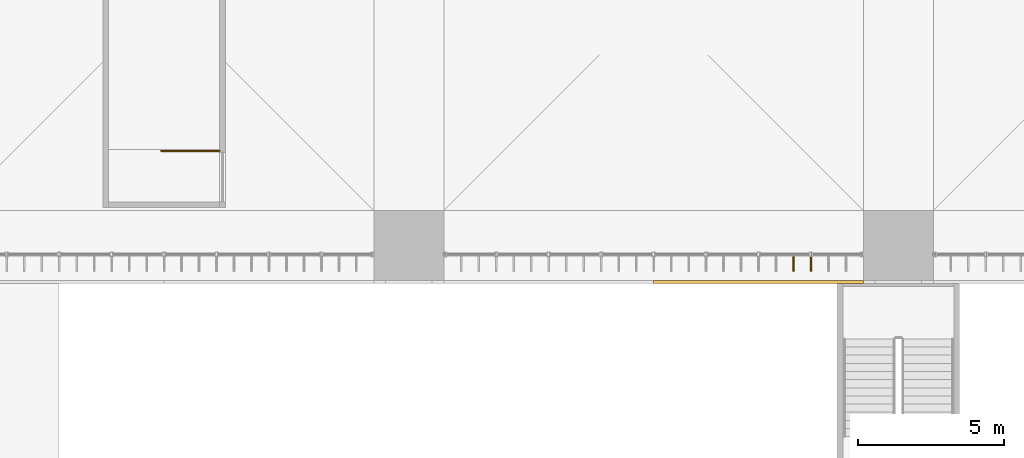
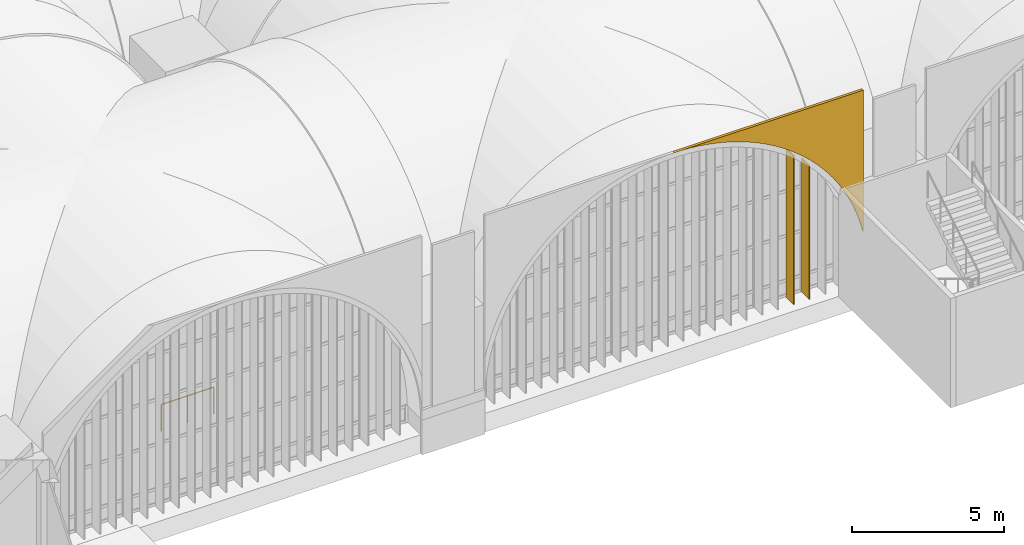
# One storey, part 156 of 169: 2 shading devices, 1 covering, 1 railing.
"""IFC4 building model written with IfcOpenShell, lengths in metres."""

import ifcopenshell
import ifcopenshell.guid

model = None  # the IFC model being written
_history = None  # IfcOwnerHistory: only IFC2X3 demands one
_inside = {}  # id of a spatial element -> (the spatial element, [elements in it])
_under = {}  # id of a project, library or spatial element -> (it, [spatial elements below it])
_declared = {}  # id of a project -> (the project, [libraries it declares])
_typed = {}  # id of a type object -> (the type object, [elements of that type])
_made_of = {}  # id of a material, layer set ... -> (it, [elements and type objects made of it])


def new_model(schema):
    """Start an empty IFC model of exactly this schema.

    Asked for "IFC4X3", IfcOpenShell would pick the latest addendum, in which some entities
    have other attributes; the version numbers below select the first issue.
    IFC2X3 requires an IfcOwnerHistory on every rooted entity: one is made here for all.
    """
    global model, _history
    if schema == "IFC4X3":
        model = ifcopenshell.file(schema_version=(4, 3, 0, 0))
    else:
        model = ifcopenshell.file(schema=schema)
    _inside.clear()
    _under.clear()
    _declared.clear()
    _typed.clear()
    _made_of.clear()
    _history = None
    if model.schema == "IFC2X3":
        org = make("IfcOrganization", Name="unknown")
        user = make(
            "IfcPersonAndOrganization",
            ThePerson=make("IfcPerson", FamilyName="unknown"),
            TheOrganization=org,
        )
        app = make(
            "IfcApplication",
            ApplicationDeveloper=org,
            Version="unknown",
            ApplicationFullName="unknown",
            ApplicationIdentifier="unknown",
        )
        _history = make(
            "IfcOwnerHistory",
            OwningUser=user,
            OwningApplication=app,
            ChangeAction="ADDED",
            CreationDate=0,
        )
    return model


def make(cls, **values):
    """One entity of the class cls with the attributes given. An attribute that is None is left unset."""
    return model.create_entity(
        cls, **{name: value for name, value in values.items() if value is not None}
    )


def rooted(cls, **values):
    """An entity with a GlobalId (a new one), such as an element, a storey or a relation."""
    return make(cls, GlobalId=ifcopenshell.guid.new(), OwnerHistory=_history, **values)


def si_unit(unit_type, name, prefix=None):
    """IfcSIUnit, for example si_unit("LENGTHUNIT", "METRE", prefix="MILLI")."""
    return make("IfcSIUnit", UnitType=unit_type, Prefix=prefix, Name=name)


def assignment(units):
    """IfcUnitAssignment: the units of a project."""
    return None if units is None else make("IfcUnitAssignment", Units=units)


def point(xyz):
    """IfcCartesianPoint."""
    return None if xyz is None else make("IfcCartesianPoint", Coordinates=xyz)


def direction(xyz):
    """IfcDirection."""
    return None if xyz is None else make("IfcDirection", DirectionRatios=xyz)


def frame(location, z_axis=None, x_axis=None):
    """IfcAxis2Placement3D, a coordinate frame: its origin and axes. An axis left out is left unset."""
    return make(
        "IfcAxis2Placement3D",
        Location=point(location),
        Axis=direction(z_axis),
        RefDirection=direction(x_axis),
    )


def frame_2d(location, x_axis=None):
    """IfcAxis2Placement2D, a coordinate frame in the plane: its origin and x axis."""
    return make(
        "IfcAxis2Placement2D", Location=point(location), RefDirection=direction(x_axis)
    )


def origin():
    """The frame at (0, 0, 0) with its axes left unset."""
    return frame((0.0, 0.0, 0.0))


def origin_2d():
    """The frame at (0, 0) in the plane with its x axis left unset."""
    return frame_2d((0.0, 0.0))


def place(relative_to, where):
    """IfcLocalPlacement: puts the frame where relative to a parent placement (None: the world)."""
    return make(
        "IfcLocalPlacement", PlacementRelTo=relative_to, RelativePlacement=where
    )


def context(
    kind, dimensions, precision=None, world=None, true_north=None, identifier=None
):
    """IfcGeometricRepresentationContext, for example the 3D "Model" context."""
    return make(
        "IfcGeometricRepresentationContext",
        ContextIdentifier=identifier,
        ContextType=kind,
        CoordinateSpaceDimension=dimensions,
        Precision=precision,
        WorldCoordinateSystem=world,
        TrueNorth=true_north,
    )


def subcontext(parent, identifier, kind, view, scale=None):
    """IfcGeometricRepresentationSubContext, for example "Body" below "Model"."""
    return make(
        "IfcGeometricRepresentationSubContext",
        ContextIdentifier=identifier,
        ContextType=kind,
        ParentContext=parent,
        TargetScale=scale,
        TargetView=view,
    )


def project(units=None, contexts=None):
    """IfcProject with its units and contexts."""
    return rooted(
        "IfcProject",
        Name="project",
        RepresentationContexts=contexts,
        UnitsInContext=assignment(units),
    )


def spatial(cls, under=None, at=None, **own):
    """A site, building, storey or space (cls), placed at a placement, below another one or the project."""
    s = rooted(cls, ObjectPlacement=at, **own)
    if under is not None:
        _under.setdefault(under.id(), (under, []))[1].append(s)
    return s


def polyline(points):
    """IfcPolyline through the points."""
    return make("IfcPolyline", Points=[point(p) for p in points])


def profile(cls, at=None, kind="AREA", **sizes):
    """A parametric profile (cls). Its sizes go by their IFC names, for example OverallWidth=200.0."""
    return make(cls, ProfileType=kind, Position=at, **sizes)


def circle(**sizes):
    """IfcCircleProfileDef."""
    return profile("IfcCircleProfileDef", **sizes)


def outline(outer, holes=None, kind="AREA"):
    """IfcArbitraryClosedProfileDef: a profile drawn as a closed curve; with holes, ...WithVoids."""
    if holes is None:
        return make("IfcArbitraryClosedProfileDef", ProfileType=kind, OuterCurve=outer)
    return make(
        "IfcArbitraryProfileDefWithVoids",
        ProfileType=kind,
        OuterCurve=outer,
        InnerCurves=holes,
    )


def extrude(swept, where, along, depth):
    """IfcExtrudedAreaSolid: the profile swept, set in the frame where, extruded along a direction by depth."""
    return make(
        "IfcExtrudedAreaSolid",
        SweptArea=swept,
        Position=where,
        ExtrudedDirection=direction(along),
        Depth=depth,
    )


def shape(context_of_items, identifier, shape_type, items):
    """IfcShapeRepresentation: the items that make up one representation, for example the "Body"."""
    return make(
        "IfcShapeRepresentation",
        ContextOfItems=context_of_items,
        RepresentationIdentifier=identifier,
        RepresentationType=shape_type,
        Items=items,
    )


def material(Name=None, Category=None):
    """IfcMaterial."""
    return make("IfcMaterial", Name=Name, Category=Category)


def layer(
    of_material, thickness, ventilated=None, Name=None, Category=None, Priority=None
):
    """IfcMaterialLayer: one layer of a wall or slab, of a material (None: an air gap)."""
    return make(
        "IfcMaterialLayer",
        Material=of_material,
        LayerThickness=thickness,
        IsVentilated=ventilated,
        Name=Name,
        Category=Category,
        Priority=Priority,
    )


def layer_set(layers, Name=None):
    """IfcMaterialLayerSet."""
    return make("IfcMaterialLayerSet", MaterialLayers=layers, LayerSetName=Name)


def made_of(thing, what):
    """Note that an element or type object is made of a material, layer set ...; save() writes the relation."""
    if what is not None:
        _made_of.setdefault(what.id(), (what, []))[1].append(thing)
    return thing


def type_object(cls, material=None, **own):
    """A type object (cls), such as IfcWallType, which elements share."""
    return made_of(rooted(cls, **own), material)


def element(
    cls,
    number,
    at=None,
    inside=None,
    cuts=None,
    type_object=None,
    material=None,
    context=None,
    identifier="Body",
    shape_type=None,
    held_by="IfcProductDefinitionShape",
    body=None,
    shapes=None,
    **own,
):
    """One element of the class cls, such as IfcWall. Its Tag is "e" and its number.

    at: its placement. inside: the storey or other place that contains it. cuts: it is an
    opening in that element (IfcRelVoidsElement). A single representation is given by context,
    identifier, shape_type and body (its items); several are given by shapes. held_by: the class
    of the entity that holds the representations. save() writes the other relations.
    """
    e = rooted(cls, Tag="e%d" % number, ObjectPlacement=at, **own)
    if body is not None:
        shapes = [shape(context, identifier, shape_type, body)]
    if shapes is not None:
        e.Representation = make(held_by, Representations=shapes)
    if inside is not None:
        _inside.setdefault(inside.id(), (inside, []))[1].append(e)
    if cuts is not None:
        rooted(
            "IfcRelVoidsElement", RelatingBuildingElement=cuts, RelatedOpeningElement=e
        )
    if type_object is not None:
        _typed.setdefault(type_object.id(), (type_object, []))[1].append(e)
    return made_of(e, material)


def aggregate(whole, parts):
    """IfcRelAggregates: a whole, such as a stair, and the parts it consists of."""
    return rooted("IfcRelAggregates", RelatingObject=whole, RelatedObjects=parts)


def save(model, path):
    """Write the relations noted so far, then the file.

    IfcRelAggregates (storeys below a building ...), IfcRelContainedInSpatialStructure (elements
    in a storey), IfcRelDefinesByType, IfcRelAssociatesMaterial and IfcRelDeclares: one each for
    every whole, place, type object, material and project.
    """
    for whole, parts in _under.values():
        aggregate(whole, parts)
    for where, things in _inside.values():
        rooted(
            "IfcRelContainedInSpatialStructure",
            RelatedElements=things,
            RelatingStructure=where,
        )
    for kind, things in _typed.values():
        rooted("IfcRelDefinesByType", RelatedObjects=things, RelatingType=kind)
    for what, things in _made_of.values():
        rooted("IfcRelAssociatesMaterial", RelatedObjects=things, RelatingMaterial=what)
    for by, libraries in _declared.values():
        rooted("IfcRelDeclares", RelatingContext=by, RelatedDefinitions=libraries)
    model.write(path)


model = new_model("IFC4")

# Units and contexts
model_context = context("Model", 3, precision=1e-05, world=origin(), true_north=direction((0.0, 1.0)))
body_context = subcontext(model_context, "Body", "Model", "MODEL_VIEW")
ifc_project = project(units=[si_unit("LENGTHUNIT", "METRE"), si_unit("AREAUNIT", "SQUARE_METRE"), si_unit("VOLUMEUNIT", "CUBIC_METRE"), si_unit("PLANEANGLEUNIT", "RADIAN"), si_unit("MASSUNIT", "GRAM", prefix="KILO")], contexts=[model_context])

# Site, building, storey
site_placement = place(None, origin())
site = spatial("IfcSite", under=ifc_project, at=site_placement, CompositionType="ELEMENT")
building_placement = place(site_placement, origin())
building = spatial("IfcBuilding", under=site, at=building_placement, Name="Verrick Yard Athletic Hall", CompositionType="ELEMENT")
storey_placement = place(building_placement, frame((0.0, 0.0, 4.39990234375)))
storey = spatial("IfcBuildingStorey", under=building, at=storey_placement, Name="L01", CompositionType="ELEMENT", Elevation=4.39990234375)

# Shading devices
ifc_material_1 = material(Name="Anodised aluminium", Category="aluminium")
ifc_layer_1 = layer(ifc_material_1, 0.0400390625)
ifc_layer_set_1 = layer_set([ifc_layer_1], Name="Arcade fin")
shading_device_type = type_object("IfcShadingDeviceType", Name="Arcade fin", PredefinedType="USERDEFINED", material=ifc_layer_set_1)
shading_device_1_placement = place(storey_placement, frame((137.199951171875, 18.82373046875, 0.0), z_axis=(0.0, 0.0, 1.0), x_axis=(0.0, -1.0, 0.0)))
element("IfcShadingDevice", 1, at=shading_device_1_placement, inside=storey, type_object=shading_device_type, Name="Fin RS6.20", ObjectType="FIN", PredefinedType="USERDEFINED", context=body_context, shape_type="SweptSolid", body=[
    extrude(outline(polyline([(0.0, 0.0), (0.5, 0.0), (0.5, 5.996826171875), (0.0, 5.996826171875), (0.0, 0.0)])), frame((0.0, 0.02001953125, 0.0), z_axis=(0.0, -1.0, 0.0), x_axis=(1.0, 0.0, 0.0)), (0.0, 0.0, 1.0), 0.0400390625),
])
shading_device_2_placement = place(storey_placement, frame((137.800048828125, 18.82373046875, 0.0), z_axis=(0.0, 0.0, 1.0), x_axis=(0.0, -1.0, 0.0)))
element("IfcShadingDevice", 2, at=shading_device_2_placement, inside=storey, type_object=shading_device_type, Name="Fin RS6.21", ObjectType="FIN", PredefinedType="USERDEFINED", context=body_context, shape_type="SweptSolid", body=[
    extrude(outline(polyline([(0.0, 0.0), (0.5, 0.0), (0.5, 5.38671875), (0.0, 5.38671875), (0.0, 0.0)])), frame((0.0, 0.02001953125, 0.0), z_axis=(0.0, -1.0, 0.0), x_axis=(1.0, 0.0, 0.0)), (0.0, 0.0, 1.0), 0.0400390625),
])

# Covering
ifc_material_2 = material(Name="Limestone cladding", Category="masonry")
ifc_layer_2 = layer(ifc_material_2, 0.10009765625)
ifc_layer_set_2 = layer_set([ifc_layer_2], Name="Spandrel cladding")
covering_type = type_object("IfcCoveringType", Name="Spandrel cladding", PredefinedType="CLADDING", material=ifc_layer_set_2)
covering_placement = place(storey_placement, frame((125.199951171875, 17.949951171875, 2.352294921875), z_axis=(0.0, 0.0, 1.0), x_axis=(1.0, 0.0, 0.0)))
element("IfcCovering", 3, at=covering_placement, inside=storey, type_object=covering_type, Name="Spandrel RS6.2", PredefinedType="CLADDING", context=body_context, shape_type="SweptSolid", body=[
    extrude(outline(polyline([(7.199951171875, 5.69775390625), (7.522705078125, 5.69091796875), (7.844970703125, 5.669677734375), (8.166015625, 5.634521484375), (8.485107421875, 5.58544921875), (8.8017578125, 5.5224609375), (9.115234375, 5.44580078125), (9.42529296875, 5.355224609375), (9.73095703125, 5.25146484375), (10.031982421875, 5.134521484375), (10.327392578125, 5.00439453125), (10.616943359375, 4.86181640625), (10.89990234375, 4.706298828125), (11.176025390625, 4.538818359375), (11.444580078125, 4.359619140625), (11.704833984375, 4.168701171875), (11.95654296875, 3.966552734375), (12.199462890625, 3.753662109375), (12.4326171875, 3.530517578125), (12.656005859375, 3.297119140625), (12.86865234375, 3.054443359375), (13.07080078125, 2.802490234375), (13.26171875, 2.542236328125), (13.441162109375, 2.273681640625), (13.608642578125, 1.997802734375), (13.763916015625, 1.714599609375), (13.90673828125, 1.42529296875), (14.03662109375, 1.129638671875), (14.15380859375, 0.82861328125), (14.257568359375, 0.52294921875), (14.347900390625, 0.213134765625), (14.39990234375, 0.0), (14.39990234375, 5.69775390625), (7.199951171875, 5.69775390625)])), frame((0.0, 0.050048828125, 0.0), z_axis=(0.0, -1.0, 0.0), x_axis=(1.0, 0.0, 0.0)), (0.0, 0.0, 1.0), 0.10009765625),
])

# Railing
ifc_material_3 = material(Name="Stainless steel", Category="steel")
railing_type = type_object("IfcRailingType", Name="Stair and core guard 1100", PredefinedType="GUARDRAIL", material=ifc_material_3)
railing_placement = place(storey_placement, frame((117.5, 22.449951171875, 0.0)))
element("IfcRailing", 4, at=railing_placement, inside=storey, type_object=railing_type, Name="L01 South plinth exit 3 top well guard 1", PredefinedType="GUARDRAIL", context=body_context, shape_type="SweptSolid", body=[
    extrude(circle(Radius=0.02392578125, at=origin_2d()), frame((0.0, 0.0, 1.076171875), z_axis=(-1.0, 0.0, 0.0), x_axis=(0.0, -1.0, 0.0)), (0.0, 0.0, 1.0), 2.0),
    extrude(circle(Radius=0.02099609375, at=origin_2d()), origin(), (0.0, 0.0, 1.0), 1.052001953125),
    extrude(circle(Radius=0.02099609375, at=origin_2d()), frame((-1.0, 0.0, 0.0)), (0.0, 0.0, 1.0), 1.052001953125),
    extrude(circle(Radius=0.02099609375, at=origin_2d()), frame((-2.0, 0.0, 0.0)), (0.0, 0.0, 1.0), 1.052001953125),
])

save(model, "model.ifc")
